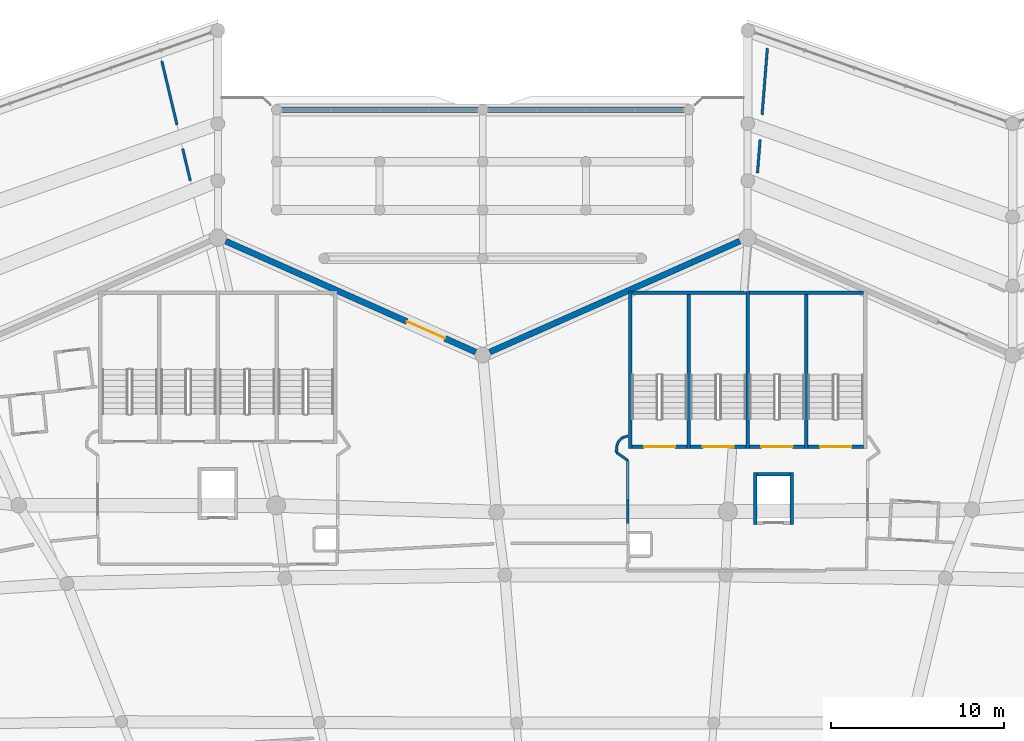
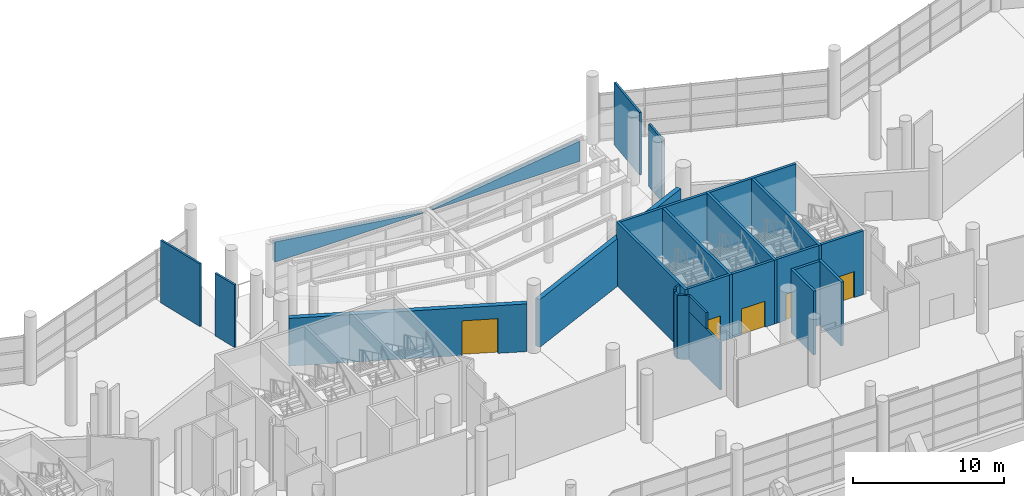
# One storey, part 189 of 271: 28 walls, 5 doors, 5 openings.
"""IFC4 building model written with IfcOpenShell, lengths in metres."""

import ifcopenshell
import ifcopenshell.guid

model = None  # the IFC model being written
_history = None  # IfcOwnerHistory: only IFC2X3 demands one
_inside = {}  # id of a spatial element -> (the spatial element, [elements in it])
_under = {}  # id of a project, library or spatial element -> (it, [spatial elements below it])
_declared = {}  # id of a project -> (the project, [libraries it declares])
_typed = {}  # id of a type object -> (the type object, [elements of that type])
_made_of = {}  # id of a material, layer set ... -> (it, [elements and type objects made of it])


def new_model(schema):
    """Start an empty IFC model of exactly this schema.

    Asked for "IFC4X3", IfcOpenShell would pick the latest addendum, in which some entities
    have other attributes; the version numbers below select the first issue.
    IFC2X3 requires an IfcOwnerHistory on every rooted entity: one is made here for all.
    """
    global model, _history
    if schema == "IFC4X3":
        model = ifcopenshell.file(schema_version=(4, 3, 0, 0))
    else:
        model = ifcopenshell.file(schema=schema)
    _inside.clear()
    _under.clear()
    _declared.clear()
    _typed.clear()
    _made_of.clear()
    _history = None
    if model.schema == "IFC2X3":
        org = make("IfcOrganization", Name="unknown")
        user = make(
            "IfcPersonAndOrganization",
            ThePerson=make("IfcPerson", FamilyName="unknown"),
            TheOrganization=org,
        )
        app = make(
            "IfcApplication",
            ApplicationDeveloper=org,
            Version="unknown",
            ApplicationFullName="unknown",
            ApplicationIdentifier="unknown",
        )
        _history = make(
            "IfcOwnerHistory",
            OwningUser=user,
            OwningApplication=app,
            ChangeAction="ADDED",
            CreationDate=0,
        )
    return model


def make(cls, **values):
    """One entity of the class cls with the attributes given. An attribute that is None is left unset."""
    return model.create_entity(
        cls, **{name: value for name, value in values.items() if value is not None}
    )


def rooted(cls, **values):
    """An entity with a GlobalId (a new one), such as an element, a storey or a relation."""
    return make(cls, GlobalId=ifcopenshell.guid.new(), OwnerHistory=_history, **values)


def si_unit(unit_type, name, prefix=None):
    """IfcSIUnit, for example si_unit("LENGTHUNIT", "METRE", prefix="MILLI")."""
    return make("IfcSIUnit", UnitType=unit_type, Prefix=prefix, Name=name)


def assignment(units):
    """IfcUnitAssignment: the units of a project."""
    return None if units is None else make("IfcUnitAssignment", Units=units)


def point(xyz):
    """IfcCartesianPoint."""
    return None if xyz is None else make("IfcCartesianPoint", Coordinates=xyz)


def direction(xyz):
    """IfcDirection."""
    return None if xyz is None else make("IfcDirection", DirectionRatios=xyz)


def frame(location, z_axis=None, x_axis=None):
    """IfcAxis2Placement3D, a coordinate frame: its origin and axes. An axis left out is left unset."""
    return make(
        "IfcAxis2Placement3D",
        Location=point(location),
        Axis=direction(z_axis),
        RefDirection=direction(x_axis),
    )


def frame_2d(location, x_axis=None):
    """IfcAxis2Placement2D, a coordinate frame in the plane: its origin and x axis."""
    return make(
        "IfcAxis2Placement2D", Location=point(location), RefDirection=direction(x_axis)
    )


def origin():
    """The frame at (0, 0, 0) with its axes left unset."""
    return frame((0.0, 0.0, 0.0))


def place(relative_to, where):
    """IfcLocalPlacement: puts the frame where relative to a parent placement (None: the world)."""
    return make(
        "IfcLocalPlacement", PlacementRelTo=relative_to, RelativePlacement=where
    )


def context(
    kind, dimensions, precision=None, world=None, true_north=None, identifier=None
):
    """IfcGeometricRepresentationContext, for example the 3D "Model" context."""
    return make(
        "IfcGeometricRepresentationContext",
        ContextIdentifier=identifier,
        ContextType=kind,
        CoordinateSpaceDimension=dimensions,
        Precision=precision,
        WorldCoordinateSystem=world,
        TrueNorth=true_north,
    )


def subcontext(parent, identifier, kind, view, scale=None):
    """IfcGeometricRepresentationSubContext, for example "Body" below "Model"."""
    return make(
        "IfcGeometricRepresentationSubContext",
        ContextIdentifier=identifier,
        ContextType=kind,
        ParentContext=parent,
        TargetScale=scale,
        TargetView=view,
    )


def project(units=None, contexts=None):
    """IfcProject with its units and contexts."""
    return rooted(
        "IfcProject",
        Name="project",
        RepresentationContexts=contexts,
        UnitsInContext=assignment(units),
    )


def spatial(cls, under=None, at=None, **own):
    """A site, building, storey or space (cls), placed at a placement, below another one or the project."""
    s = rooted(cls, ObjectPlacement=at, **own)
    if under is not None:
        _under.setdefault(under.id(), (under, []))[1].append(s)
    return s


def polyline(points):
    """IfcPolyline through the points."""
    return make("IfcPolyline", Points=[point(p) for p in points])


def profile(cls, at=None, kind="AREA", **sizes):
    """A parametric profile (cls). Its sizes go by their IFC names, for example OverallWidth=200.0."""
    return make(cls, ProfileType=kind, Position=at, **sizes)


def rectangle(**sizes):
    """IfcRectangleProfileDef."""
    return profile("IfcRectangleProfileDef", **sizes)


def outline(outer, holes=None, kind="AREA"):
    """IfcArbitraryClosedProfileDef: a profile drawn as a closed curve; with holes, ...WithVoids."""
    if holes is None:
        return make("IfcArbitraryClosedProfileDef", ProfileType=kind, OuterCurve=outer)
    return make(
        "IfcArbitraryProfileDefWithVoids",
        ProfileType=kind,
        OuterCurve=outer,
        InnerCurves=holes,
    )


def extrude(swept, where, along, depth):
    """IfcExtrudedAreaSolid: the profile swept, set in the frame where, extruded along a direction by depth."""
    return make(
        "IfcExtrudedAreaSolid",
        SweptArea=swept,
        Position=where,
        ExtrudedDirection=direction(along),
        Depth=depth,
    )


def shape(context_of_items, identifier, shape_type, items):
    """IfcShapeRepresentation: the items that make up one representation, for example the "Body"."""
    return make(
        "IfcShapeRepresentation",
        ContextOfItems=context_of_items,
        RepresentationIdentifier=identifier,
        RepresentationType=shape_type,
        Items=items,
    )


def material(Name=None, Category=None):
    """IfcMaterial."""
    return make("IfcMaterial", Name=Name, Category=Category)


def layer(
    of_material, thickness, ventilated=None, Name=None, Category=None, Priority=None
):
    """IfcMaterialLayer: one layer of a wall or slab, of a material (None: an air gap)."""
    return make(
        "IfcMaterialLayer",
        Material=of_material,
        LayerThickness=thickness,
        IsVentilated=ventilated,
        Name=Name,
        Category=Category,
        Priority=Priority,
    )


def layer_set(layers, Name=None):
    """IfcMaterialLayerSet."""
    return make("IfcMaterialLayerSet", MaterialLayers=layers, LayerSetName=Name)


def made_of(thing, what):
    """Note that an element or type object is made of a material, layer set ...; save() writes the relation."""
    if what is not None:
        _made_of.setdefault(what.id(), (what, []))[1].append(thing)
    return thing


def type_object(cls, material=None, **own):
    """A type object (cls), such as IfcWallType, which elements share."""
    return made_of(rooted(cls, **own), material)


def element(
    cls,
    number,
    at=None,
    inside=None,
    cuts=None,
    type_object=None,
    material=None,
    context=None,
    identifier="Body",
    shape_type=None,
    held_by="IfcProductDefinitionShape",
    body=None,
    shapes=None,
    **own,
):
    """One element of the class cls, such as IfcWall. Its Tag is "e" and its number.

    at: its placement. inside: the storey or other place that contains it. cuts: it is an
    opening in that element (IfcRelVoidsElement). A single representation is given by context,
    identifier, shape_type and body (its items); several are given by shapes. held_by: the class
    of the entity that holds the representations. save() writes the other relations.
    """
    e = rooted(cls, Tag="e%d" % number, ObjectPlacement=at, **own)
    if body is not None:
        shapes = [shape(context, identifier, shape_type, body)]
    if shapes is not None:
        e.Representation = make(held_by, Representations=shapes)
    if inside is not None:
        _inside.setdefault(inside.id(), (inside, []))[1].append(e)
    if cuts is not None:
        rooted(
            "IfcRelVoidsElement", RelatingBuildingElement=cuts, RelatedOpeningElement=e
        )
    if type_object is not None:
        _typed.setdefault(type_object.id(), (type_object, []))[1].append(e)
    return made_of(e, material)


def fill(opening, filler):
    """IfcRelFillsElement: the door or window that sits in an opening."""
    return rooted(
        "IfcRelFillsElement",
        RelatingOpeningElement=opening,
        RelatedBuildingElement=filler,
    )


def aggregate(whole, parts):
    """IfcRelAggregates: a whole, such as a stair, and the parts it consists of."""
    return rooted("IfcRelAggregates", RelatingObject=whole, RelatedObjects=parts)


def save(model, path):
    """Write the relations noted so far, then the file.

    IfcRelAggregates (storeys below a building ...), IfcRelContainedInSpatialStructure (elements
    in a storey), IfcRelDefinesByType, IfcRelAssociatesMaterial and IfcRelDeclares: one each for
    every whole, place, type object, material and project.
    """
    for whole, parts in _under.values():
        aggregate(whole, parts)
    for where, things in _inside.values():
        rooted(
            "IfcRelContainedInSpatialStructure",
            RelatedElements=things,
            RelatingStructure=where,
        )
    for kind, things in _typed.values():
        rooted("IfcRelDefinesByType", RelatedObjects=things, RelatingType=kind)
    for what, things in _made_of.values():
        rooted("IfcRelAssociatesMaterial", RelatedObjects=things, RelatingMaterial=what)
    for by, libraries in _declared.values():
        rooted("IfcRelDeclares", RelatingContext=by, RelatedDefinitions=libraries)
    model.write(path)


model = new_model("IFC4")

# Units and contexts
model_context = context("Model", 3, precision=1e-05, world=origin(), true_north=direction((0.0, 1.0)))
body_context = subcontext(model_context, "Body", "Model", "MODEL_VIEW")
ifc_project = project(units=[si_unit("LENGTHUNIT", "METRE"), si_unit("AREAUNIT", "SQUARE_METRE"), si_unit("VOLUMEUNIT", "CUBIC_METRE"), si_unit("PLANEANGLEUNIT", "RADIAN"), si_unit("MASSUNIT", "GRAM", prefix="KILO")], contexts=[model_context])

# Site, building, storey
site_placement = place(None, origin())
site = spatial("IfcSite", under=ifc_project, at=site_placement, CompositionType="ELEMENT")
building_placement = place(site_placement, origin())
building = spatial("IfcBuilding", under=site, at=building_placement, Name="Meseta Stadium", CompositionType="ELEMENT")
storey_placement = place(building_placement, frame((0.0, 0.0, 6.5)))
storey = spatial("IfcBuildingStorey", under=building, at=storey_placement, Name="L01", CompositionType="ELEMENT", Elevation=6.5)

# Walls
ifc_material_1 = material(Name="Concrete C40/50", Category="concrete")
ifc_layer_1 = layer(ifc_material_1, 0.199951171875)
ifc_layer_set_1 = layer_set([ifc_layer_1], Name="Core divider wall 200")
wall_type_1 = type_object("IfcWallType", Name="Core divider wall 200", PredefinedType="SHEAR", material=ifc_layer_set_1)
for number, where, z_axis, x_axis, name in (
    (1, (11.066650390625, 102.300048828125, 0.0), (0.0, 0.0, 1.0), (0.0, -1.0, 0.0), "Core 10 L01 stair A divider wall"),
    (2, (4.2666015625, 102.300048828125, 0.0), (0.0, 0.0, 1.0), (0.0, -1.0, 0.0), "Core 10 L01 stair B divider wall"),
):
    element("IfcWall", number, at=place(storey_placement, frame(where, z_axis=z_axis, x_axis=x_axis)), inside=storey, type_object=wall_type_1, Name=name, PredefinedType="SHEAR", context=body_context, shape_type="SweptSolid", body=[
        extrude(rectangle(XDim=9.10009765625, YDim=0.199951171875, at=frame_2d((4.550048828125, 0.0))), origin(), (0.0, 0.0, 1.0), 5.14990234375),
    ])
ifc_material_2 = material(Name="Concrete C40/50", Category="concrete")
ifc_layer_2 = layer(ifc_material_2, 0.199951171875)
ifc_layer_set_2 = layer_set([ifc_layer_2], Name="Core shaft wall 200")
wall_type_2 = type_object("IfcWallType", Name="Core shaft wall 200", PredefinedType="SHEAR", material=ifc_layer_set_2)
for number, where, z_axis, x_axis, name in (
    (3, (7.666748046875, 102.300048828125, 0.0), (0.0, 0.0, 1.0), (0.0, -1.0, 0.0), "Core 10 L01 stair wall shared"),
    (4, (0.86669921875, 102.300048828125, 0.0), (0.0, 0.0, 1.0), (0.0, -1.0, 0.0), "Core 10 L01 stair wall B-side"),
):
    element("IfcWall", number, at=place(storey_placement, frame(where, z_axis=z_axis, x_axis=x_axis)), inside=storey, type_object=wall_type_2, Name=name, PredefinedType="SHEAR", context=body_context, shape_type="SweptSolid", body=[
        extrude(rectangle(XDim=9.10009765625, YDim=0.199951171875, at=frame_2d((4.550048828125, 0.0))), origin(), (0.0, 0.0, 1.0), 5.14990234375),
    ])
wall_1_placement = place(storey_placement, frame((14.36669921875, 102.199951171875, 0.0), z_axis=(0.0, 0.0, 1.0), x_axis=(-1.0, 0.0, 0.0)))
element("IfcWall", 5, at=wall_1_placement, inside=storey, type_object=wall_type_2, Name="Core 10 L01 stair A outer end wall", PredefinedType="SHEAR", context=body_context, shape_type="SweptSolid", body=[
    extrude(rectangle(XDim=6.60009765625, YDim=0.199951171875, at=frame_2d((3.300048828125, 0.0))), origin(), (0.0, 0.0, 1.0), 5.14990234375),
])
wall_2_placement = place(storey_placement, frame((7.566650390625, 102.199951171875, 0.0), z_axis=(0.0, 0.0, 1.0), x_axis=(-1.0, 0.0, 0.0)))
element("IfcWall", 6, at=wall_2_placement, inside=storey, type_object=wall_type_2, Name="Core 10 L01 stair B outer end wall", PredefinedType="SHEAR", context=body_context, shape_type="SweptSolid", body=[
    extrude(rectangle(XDim=6.599853515625, YDim=0.199951171875, at=frame_2d((3.2998046875, 0.0))), origin(), (0.0, 0.0, 1.0), 5.14990234375),
])

# Wall, opening, door
wall_3_placement = place(storey_placement, frame((14.36669921875, 93.300048828125, 0.0), z_axis=(0.0, 0.0, 1.0), x_axis=(-1.0, 0.0, 0.0)))
wall_3 = element("IfcWall", 7, at=wall_3_placement, inside=storey, type_object=wall_type_2, Name="Core 10 L01 stair A1 inner end wall", PredefinedType="SHEAR", context=body_context, shape_type="SweptSolid", body=[
    extrude(rectangle(XDim=3.199951171875, YDim=0.199951171875, at=frame_2d((1.60009765625, 0.0))), origin(), (0.0, 0.0, 1.0), 5.14990234375),
])
opening_1_placement = place(wall_3_placement, frame((0.699951171875, 0.0, 0.0)))
opening_1 = element("IfcOpeningElement", 8, at=opening_1_placement, cuts=wall_3, Name="Opening D147", PredefinedType="OPENING", context=body_context, shape_type="SweptSolid", body=[
    extrude(rectangle(XDim=1.800048828125, YDim=2.10009765625, at=frame_2d((0.89990234375, 1.050048828125))), frame((0.0, 0.10986328125, 0.0), z_axis=(0.0, -1.0, 0.0), x_axis=(1.0, 0.0, 0.0)), (0.0, 0.0, 1.0), 0.219970703125),
])
ifc_material_3 = material(Name="Steel", Category="steel")
door_type_1 = type_object("IfcDoorType", Name="Stair door 1800x2100", OperationType="DOUBLE_DOOR_SINGLE_SWING", PredefinedType="DOOR", material=ifc_material_3)
door_1_placement = place(opening_1_placement, origin())
door_1 = element("IfcDoor", 9, at=door_1_placement, inside=storey, type_object=door_type_1, Name="Stair A1 door 10 L01", OperationType="DOUBLE_DOOR_SINGLE_SWING", OverallHeight=2.10009765625, OverallWidth=1.800048828125, PredefinedType="DOOR", context=body_context, shape_type="SweptSolid", body=[
    extrude(rectangle(XDim=1.800048828125, YDim=2.10009765625, at=frame_2d((0.89990234375, 1.050048828125))), frame((0.0, 0.02490234375, 0.0), z_axis=(0.0, -1.0, 0.0), x_axis=(1.0, 0.0, 0.0)), (0.0, 0.0, 1.0), 0.050048828125),
])
fill(opening_1, door_1)

wall_4_placement = place(storey_placement, frame((10.966796875, 93.300048828125, 0.0), z_axis=(0.0, 0.0, 1.0), x_axis=(-1.0, 0.0, 0.0)))
wall_4 = element("IfcWall", 10, at=wall_4_placement, inside=storey, type_object=wall_type_2, Name="Core 10 L01 stair A2 inner end wall", PredefinedType="SHEAR", context=body_context, shape_type="SweptSolid", body=[
    extrude(rectangle(XDim=3.2001953125, YDim=0.199951171875, at=frame_2d((1.60009765625, 0.0))), origin(), (0.0, 0.0, 1.0), 5.14990234375),
])
opening_2_placement = place(wall_4_placement, frame((0.699951171875, 0.0, 0.0)))
opening_2 = element("IfcOpeningElement", 11, at=opening_2_placement, cuts=wall_4, Name="Opening D148", PredefinedType="OPENING", context=body_context, shape_type="SweptSolid", body=[
    extrude(rectangle(XDim=1.800048828125, YDim=2.10009765625, at=frame_2d((0.89990234375, 1.050048828125))), frame((0.0, 0.10986328125, 0.0), z_axis=(0.0, -1.0, 0.0), x_axis=(1.0, 0.0, 0.0)), (0.0, 0.0, 1.0), 0.219970703125),
])
door_2_placement = place(opening_2_placement, origin())
door_2 = element("IfcDoor", 12, at=door_2_placement, inside=storey, type_object=door_type_1, Name="Stair A2 door 10 L01", OperationType="DOUBLE_DOOR_SINGLE_SWING", OverallHeight=2.10009765625, OverallWidth=1.800048828125, PredefinedType="DOOR", context=body_context, shape_type="SweptSolid", body=[
    extrude(rectangle(XDim=1.800048828125, YDim=2.10009765625, at=frame_2d((0.89990234375, 1.050048828125))), frame((0.0, 0.02490234375, 0.0), z_axis=(0.0, -1.0, 0.0), x_axis=(1.0, 0.0, 0.0)), (0.0, 0.0, 1.0), 0.050048828125),
])
fill(opening_2, door_2)

wall_5_placement = place(storey_placement, frame((7.566650390625, 93.300048828125, 0.0), z_axis=(0.0, 0.0, 1.0), x_axis=(-1.0, 0.0, 0.0)))
wall_5 = element("IfcWall", 13, at=wall_5_placement, inside=storey, type_object=wall_type_2, Name="Core 10 L01 stair B1 inner end wall", PredefinedType="SHEAR", context=body_context, shape_type="SweptSolid", body=[
    extrude(rectangle(XDim=3.199951171875, YDim=0.199951171875, at=frame_2d((1.60009765625, 0.0))), origin(), (0.0, 0.0, 1.0), 5.14990234375),
])
opening_3_placement = place(wall_5_placement, frame((0.699951171875, 0.0, 0.0)))
opening_3 = element("IfcOpeningElement", 14, at=opening_3_placement, cuts=wall_5, Name="Opening D149", PredefinedType="OPENING", context=body_context, shape_type="SweptSolid", body=[
    extrude(rectangle(XDim=1.800048828125, YDim=2.10009765625, at=frame_2d((0.89990234375, 1.050048828125))), frame((0.0, 0.10986328125, 0.0), z_axis=(0.0, -1.0, 0.0), x_axis=(1.0, 0.0, 0.0)), (0.0, 0.0, 1.0), 0.219970703125),
])
door_3_placement = place(opening_3_placement, origin())
door_3 = element("IfcDoor", 15, at=door_3_placement, inside=storey, type_object=door_type_1, Name="Stair B1 door 10 L01", OperationType="DOUBLE_DOOR_SINGLE_SWING", OverallHeight=2.10009765625, OverallWidth=1.800048828125, PredefinedType="DOOR", context=body_context, shape_type="SweptSolid", body=[
    extrude(rectangle(XDim=1.800048828125, YDim=2.10009765625, at=frame_2d((0.89990234375, 1.050048828125))), frame((0.0, 0.02490234375, 0.0), z_axis=(0.0, -1.0, 0.0), x_axis=(1.0, 0.0, 0.0)), (0.0, 0.0, 1.0), 0.050048828125),
])
fill(opening_3, door_3)

wall_6_placement = place(storey_placement, frame((4.166748046875, 93.300048828125, 0.0), z_axis=(0.0, 0.0, 1.0), x_axis=(-1.0, 0.0, 0.0)))
wall_6 = element("IfcWall", 16, at=wall_6_placement, inside=storey, type_object=wall_type_2, Name="Core 10 L01 stair B2 inner end wall", PredefinedType="SHEAR", context=body_context, shape_type="SweptSolid", body=[
    extrude(rectangle(XDim=3.199951171875, YDim=0.199951171875, at=frame_2d((1.60009765625, 0.0))), origin(), (0.0, 0.0, 1.0), 5.14990234375),
])
opening_4_placement = place(wall_6_placement, frame((0.699951171875, 0.0, 0.0)))
opening_4 = element("IfcOpeningElement", 17, at=opening_4_placement, cuts=wall_6, Name="Opening D150", PredefinedType="OPENING", context=body_context, shape_type="SweptSolid", body=[
    extrude(rectangle(XDim=1.800048828125, YDim=2.10009765625, at=frame_2d((0.89990234375, 1.050048828125))), frame((0.0, 0.10986328125, 0.0), z_axis=(0.0, -1.0, 0.0), x_axis=(1.0, 0.0, 0.0)), (0.0, 0.0, 1.0), 0.219970703125),
])
door_4_placement = place(opening_4_placement, origin())
door_4 = element("IfcDoor", 18, at=door_4_placement, inside=storey, type_object=door_type_1, Name="Stair B2 door 10 L01", OperationType="DOUBLE_DOOR_SINGLE_SWING", OverallHeight=2.10009765625, OverallWidth=1.800048828125, PredefinedType="DOOR", context=body_context, shape_type="SweptSolid", body=[
    extrude(rectangle(XDim=1.800048828125, YDim=2.10009765625, at=frame_2d((0.89990234375, 1.050048828125))), frame((0.0, 0.02490234375, 0.0), z_axis=(0.0, -1.0, 0.0), x_axis=(1.0, 0.0, 0.0)), (0.0, 0.0, 1.0), 0.050048828125),
])
fill(opening_4, door_4)

# Walls
for number, where, z_axis, x_axis, name in (
    (19, (10.216796875, 91.800048828125, 0.0), (0.0, 0.0, 1.0), (0.0, -1.0, 0.0), "Core 10 L01 lift shaft wall left"),
    (20, (8.11669921875, 91.800048828125, 0.0), (0.0, 0.0, 1.0), (0.0, -1.0, 0.0), "Core 10 L01 lift shaft wall right"),
):
    element("IfcWall", number, at=place(storey_placement, frame(where, z_axis=z_axis, x_axis=x_axis)), inside=storey, type_object=wall_type_2, Name=name, PredefinedType="SHEAR", context=body_context, shape_type="SweptSolid", body=[
        extrude(rectangle(XDim=3.0, YDim=0.199951171875, at=frame_2d((1.5, 0.0))), origin(), (0.0, 0.0, 1.0), 5.14990234375),
    ])
wall_7_placement = place(storey_placement, frame((10.11669921875, 91.699951171875, 0.0), z_axis=(0.0, 0.0, 1.0), x_axis=(-1.0, 0.0, 0.0)))
element("IfcWall", 21, at=wall_7_placement, inside=storey, type_object=wall_type_2, Name="Core 10 L01 lift shaft back wall", PredefinedType="SHEAR", context=body_context, shape_type="SweptSolid", body=[
    extrude(rectangle(XDim=1.89990234375, YDim=0.199951171875, at=frame_2d((0.949951171875, 0.0))), origin(), (0.0, 0.0, 1.0), 5.14990234375),
])
ifc_material_4 = material(Name="Precast concrete C40/50", Category="concrete")
ifc_layer_3 = layer(ifc_material_4, 0.300048828125)
ifc_layer_set_3 = layer_set([ifc_layer_3], Name="Gate facade panel wall 300")
wall_type_3 = type_object("IfcWallType", Name="Gate facade panel wall 300", PredefinedType="SOLIDWALL", material=ifc_layer_set_3)
wall_8_placement = place(storey_placement, frame((3.966796875, 112.800048828125, 2.599365234375), z_axis=(0.0, 0.0, 1.0), x_axis=(-1.0, 0.0, 0.0)))
element("IfcWall", 22, at=wall_8_placement, inside=storey, type_object=wall_type_3, Name="Gate 3 gable panel wall", PredefinedType="SOLIDWALL", context=body_context, shape_type="SweptSolid", body=[
    extrude(outline(polyline([(0.0, 0.0), (11.33349609375, 0.0), (11.333251953125, 0.052001953125), (0.0, 1.638671875), (0.0, 0.0)])), frame((0.0, 0.14990234375, 0.0), z_axis=(0.0, -1.0, 0.0), x_axis=(1.0, 0.0, 0.0)), (0.0, 0.0, 1.0), 0.300048828125),
])
wall_9_placement = place(storey_placement, frame((-7.966796875, 112.800048828125, 2.599365234375), z_axis=(0.0, 0.0, 1.0), x_axis=(-1.0, 0.0, 0.0)))
element("IfcWall", 23, at=wall_9_placement, inside=storey, type_object=wall_type_3, Name="Gate 3 gable panel wall", PredefinedType="SOLIDWALL", context=body_context, shape_type="SweptSolid", body=[
    extrude(outline(polyline([(0.0, 0.0), (11.333251953125, 0.0), (11.333251953125, 1.638671875), (0.0, 0.052001953125), (0.0, 0.0)])), frame((0.0, 0.14990234375, 0.0), z_axis=(0.0, -1.0, 0.0), x_axis=(1.0, 0.0, 0.0)), (0.0, 0.0, 1.0), 0.300048828125),
])
ifc_material_5 = material(Name="Masonry blockwork", Category="masonry")
ifc_layer_4 = layer(ifc_material_5, 0.14990234375)
ifc_layer_set_4 = layer_set([ifc_layer_4], Name="Partition 150")
wall_type_4 = type_object("IfcWallType", Name="Partition 150", PredefinedType="PARTITIONING", material=ifc_layer_set_4)
wall_10_placement = place(storey_placement, frame((8.23388671875, 109.147216796875, 0.0), z_axis=(0.0, 0.0, 1.0), x_axis=(0.079152200881, 0.996862542729, 0.0)))
element("IfcWall", 24, at=wall_10_placement, inside=storey, type_object=wall_type_4, Name="Partition L01 L01-ring08-0", PredefinedType="PARTITIONING", context=body_context, shape_type="SweptSolid", body=[
    extrude(rectangle(XDim=1.930908203125, YDim=0.14990234375, at=frame_2d((0.96533203125, 0.0))), origin(), (0.0, 0.0, 1.0), 5.050048828125),
])
wall_11_placement = place(storey_placement, frame((8.501220703125, 112.515625, 0.0), z_axis=(0.0, 0.0, 1.0), x_axis=(0.079152200881, 0.996862542729, 0.0)))
element("IfcWall", 25, at=wall_11_placement, inside=storey, type_object=wall_type_4, Name="Partition L01 L01-ring08-0", PredefinedType="PARTITIONING", context=body_context, shape_type="SweptSolid", body=[
    extrude(rectangle(XDim=3.86181640625, YDim=0.14990234375, at=frame_2d((1.930908203125, 0.0))), origin(), (0.0, 0.0, 1.0), 5.050048828125),
])
wall_12_placement = place(storey_placement, frame((-26.24267578125, 115.619384765625, 0.0), z_axis=(0.0, 0.0, 1.0), x_axis=(0.231582809657, -0.972815194305, 0.0)))
element("IfcWall", 26, at=wall_12_placement, inside=storey, type_object=wall_type_4, Name="Partition L01 L01-ring10-0", PredefinedType="PARTITIONING", context=body_context, shape_type="SweptSolid", body=[
    extrude(rectangle(XDim=3.7919921875, YDim=0.14990234375, at=frame_2d((1.89599609375, 0.0))), origin(), (0.0, 0.0, 1.0), 5.050048828125),
])
wall_13_placement = place(storey_placement, frame((-25.034912109375, 110.547119140625, 0.0), z_axis=(0.0, 0.0, 1.0), x_axis=(0.231521878941, -0.972829697106, 0.0)))
element("IfcWall", 27, at=wall_13_placement, inside=storey, type_object=wall_type_4, Name="Partition L01 L01-ring10-0", PredefinedType="PARTITIONING", context=body_context, shape_type="SweptSolid", body=[
    extrude(rectangle(XDim=1.89599609375, YDim=0.14990234375, at=frame_2d((0.947998046875, 0.0))), origin(), (0.0, 0.0, 1.0), 5.050048828125),
])
wall_14_placement = place(storey_placement, frame((0.728271484375, 93.9287109375, 0.0), z_axis=(0.0, 0.0, 1.0), x_axis=(-0.937897537761, -0.346912393353, 0.0)))
element("IfcWall", 28, at=wall_14_placement, inside=storey, type_object=wall_type_4, Name="Stair vestibule wall L01 core 10", PredefinedType="PARTITIONING", context=body_context, shape_type="SweptSolid", body=[
    extrude(rectangle(XDim=0.356201171875, YDim=0.14990234375, at=frame_2d((0.17822265625, 0.0))), origin(), (0.0, 0.0, 1.0), 5.14990234375),
])
wall_15_placement = place(storey_placement, frame((0.394287109375, 93.80517578125, 0.0), z_axis=(0.0, 0.0, 1.0), x_axis=(-0.707106781187, -0.707106781187, 0.0)))
element("IfcWall", 29, at=wall_15_placement, inside=storey, type_object=wall_type_4, Name="Stair vestibule wall L01 core 10", PredefinedType="PARTITIONING", context=body_context, shape_type="SweptSolid", body=[
    extrude(rectangle(XDim=0.28515625, YDim=0.14990234375, at=frame_2d((0.142578125, 0.0))), origin(), (0.0, 0.0, 1.0), 5.14990234375),
])
wall_16_placement = place(storey_placement, frame((0.192626953125, 93.603515625, 0.0), z_axis=(0.0, 0.0, 1.0), x_axis=(-0.3830150227, -0.923742113572, 0.0)))
element("IfcWall", 30, at=wall_16_placement, inside=storey, type_object=wall_type_4, Name="Stair vestibule wall L01 core 10", PredefinedType="PARTITIONING", context=body_context, shape_type="SweptSolid", body=[
    extrude(rectangle(XDim=0.28173828125, YDim=0.14990234375, at=frame_2d((0.140869140625, 0.0))), origin(), (0.0, 0.0, 1.0), 5.14990234375),
])
wall_17_placement = place(storey_placement, frame((0.084716796875, 93.34326171875, 0.0), z_axis=(0.0, 0.0, 1.0), x_axis=(-0.038358216731, -0.999264052795, 0.0)))
element("IfcWall", 31, at=wall_17_placement, inside=storey, type_object=wall_type_4, Name="Stair vestibule wall L01 core 10", PredefinedType="PARTITIONING", context=body_context, shape_type="SweptSolid", body=[
    extrude(rectangle(XDim=0.37548828125, YDim=0.14990234375, at=frame_2d((0.187744140625, 0.0))), origin(), (0.0, 0.0, 1.0), 5.14990234375),
])
wall_18_placement = place(storey_placement, frame((0.0703125, 92.968017578125, 0.0), z_axis=(0.0, 0.0, 1.0), x_axis=(0.817587352425, -0.57580458591, 0.0)))
element("IfcWall", 32, at=wall_18_placement, inside=storey, type_object=wall_type_4, Name="Stair vestibule wall L01 core 10", PredefinedType="PARTITIONING", context=body_context, shape_type="SweptSolid", body=[
    extrude(rectangle(XDim=0.796630859375, YDim=0.14990234375, at=frame_2d((0.3984375, 0.0))), origin(), (0.0, 0.0, 1.0), 5.14990234375),
])
wall_19_placement = place(storey_placement, frame((0.7216796875, 92.50927734375, 0.0), z_axis=(0.0, 0.0, 1.0), x_axis=(0.0, -1.0, 0.0)))
element("IfcWall", 33, at=wall_19_placement, inside=storey, type_object=wall_type_4, Name="Stair vestibule wall L01 core 10", PredefinedType="PARTITIONING", context=body_context, shape_type="SweptSolid", body=[
    extrude(rectangle(XDim=4.103515625, YDim=0.14990234375, at=frame_2d((2.0517578125, 0.0))), origin(), (0.0, 0.0, 1.0), 3.85009765625),
])
wall_20_placement = place(storey_placement, frame((0.7216796875, 92.50927734375, 3.85009765625), z_axis=(0.0, 0.0, 1.0), x_axis=(0.0, -1.0, 0.0)))
element("IfcWall", 34, at=wall_20_placement, inside=storey, type_object=wall_type_4, Name="Stair vestibule wall L01 core 10", PredefinedType="PARTITIONING", context=body_context, shape_type="SweptSolid", body=[
    extrude(rectangle(XDim=2.27978515625, YDim=0.14990234375, at=frame_2d((1.139892578125, 0.0))), origin(), (0.0, 0.0, 1.0), 1.2998046875),
])
ifc_material_6 = material(Name="White precast concrete C40/50", Category="concrete")
ifc_layer_5 = layer(ifc_material_6, 0.35009765625)
ifc_layer_set_5 = layer_set([ifc_layer_5], Name="Pleated panel wall 350 gate")
wall_type_5 = type_object("IfcWallType", Name="Pleated panel wall 350 gate", PredefinedType="SOLIDWALL", material=ifc_layer_set_5)
wall_21_placement = place(storey_placement, frame((-7.255615234375, 98.7822265625, 0.0), z_axis=(0.0, 0.0, 1.0), x_axis=(0.914136361455, 0.405406848322, 0.0)))
element("IfcWall", 35, at=wall_21_placement, inside=storey, type_object=wall_type_5, Name="Pleated facade panel L01 F18", PredefinedType="SOLIDWALL", context=body_context, shape_type="SweptSolid", body=[
    extrude(rectangle(XDim=15.82421875, YDim=0.35009765625, at=frame_2d((7.912109375, 0.0))), origin(), (0.0, 0.0, 1.0), 3.85009765625),
])

# Wall, opening, door
wall_22_placement = place(storey_placement, frame((-22.54345703125, 105.197509765625, 0.0), z_axis=(0.0, 0.0, 1.0), x_axis=(0.914138897099, -0.405401130748, 0.0)))
wall_22 = element("IfcWall", 36, at=wall_22_placement, inside=storey, type_object=wall_type_5, Name="Pleated facade panel L01 F19", PredefinedType="SOLIDWALL", context=body_context, shape_type="SweptSolid", body=[
    extrude(rectangle(XDim=15.824462890625, YDim=0.35009765625, at=frame_2d((7.912109375, 0.0))), origin(), (0.0, 0.0, 1.0), 3.85009765625),
])
opening_5_placement = place(wall_22_placement, frame((11.473876953125, 0.0, 0.0)))
opening_5 = element("IfcOpeningElement", 37, at=opening_5_placement, cuts=wall_22, Name="Opening D987", PredefinedType="OPENING", context=body_context, shape_type="SweptSolid", body=[
    extrude(rectangle(XDim=2.39990234375, YDim=2.800048828125, at=frame_2d((1.199951171875, 1.39990234375))), frame((0.0, 0.18505859375, 0.0), z_axis=(0.0, -1.0, 0.0), x_axis=(1.0, 0.0, 0.0)), (0.0, 0.0, 1.0), 0.3701171875),
])
ifc_material_7 = material(Name="Steel", Category="steel")
door_type_2 = type_object("IfcDoorType", Name="Hall door 2400x2800", OperationType="DOUBLE_DOOR_SINGLE_SWING", PredefinedType="DOOR", material=ifc_material_7)
door_5_placement = place(opening_5_placement, origin())
door_5 = element("IfcDoor", 38, at=door_5_placement, inside=storey, type_object=door_type_2, Name="Gate hall door 3", OperationType="DOUBLE_DOOR_SINGLE_SWING", OverallHeight=2.800048828125, OverallWidth=2.39990234375, PredefinedType="DOOR", context=body_context, shape_type="SweptSolid", body=[
    extrude(rectangle(XDim=2.39990234375, YDim=2.800048828125, at=frame_2d((1.199951171875, 1.39990234375))), frame((0.0, 0.02490234375, 0.0), z_axis=(0.0, -1.0, 0.0), x_axis=(1.0, 0.0, 0.0)), (0.0, 0.0, 1.0), 0.050048828125),
])
fill(opening_5, door_5)

save(model, "model.ifc")
